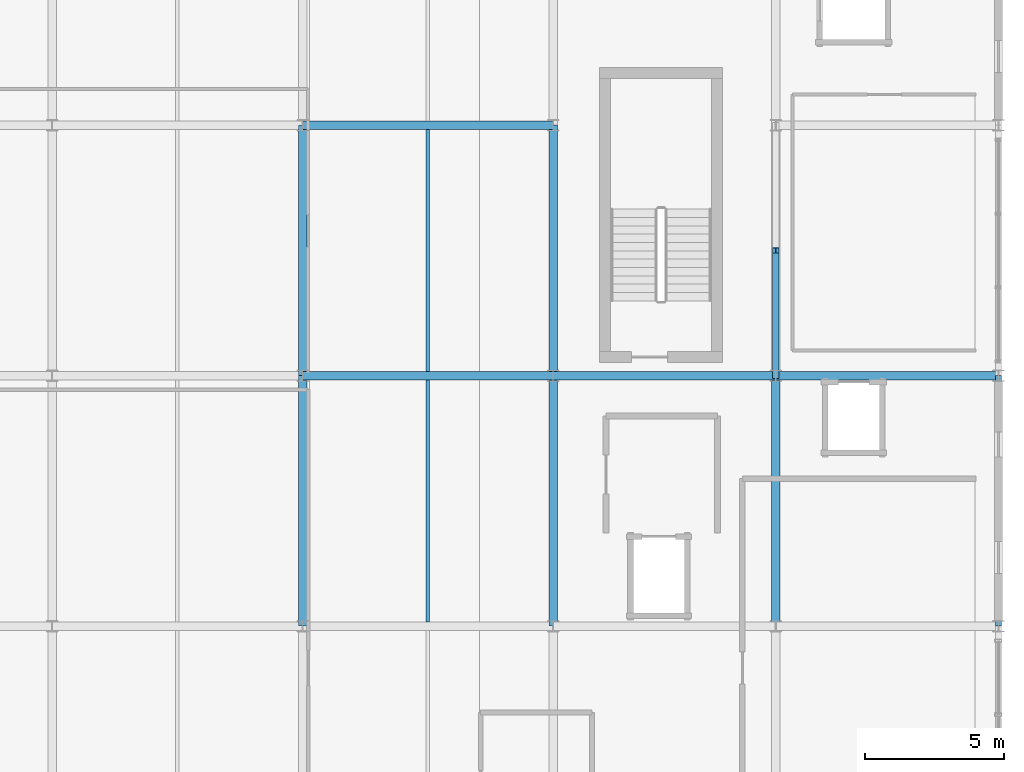
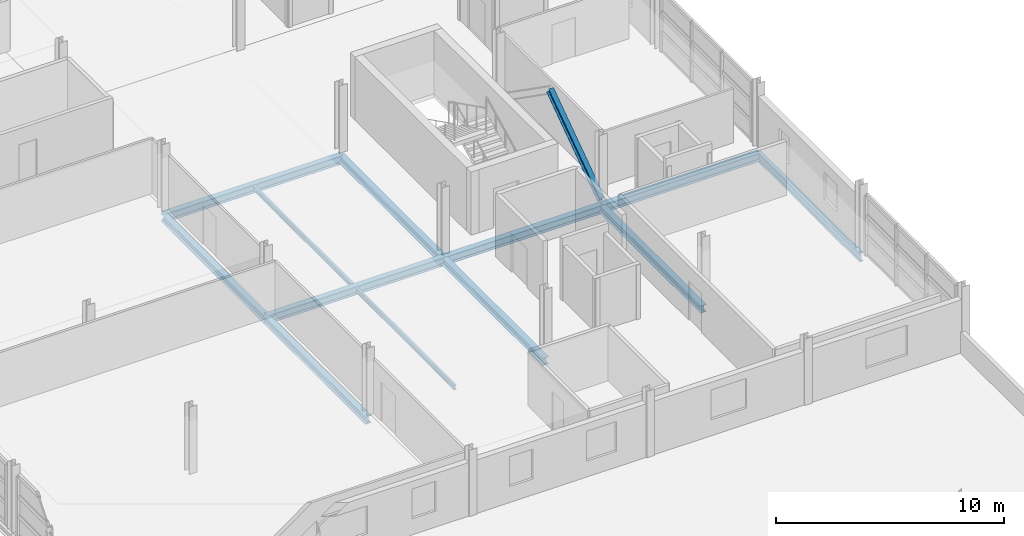
# One storey, part 72 of 116: 12 beams, 1 member.
"""IFC4 building model written with IfcOpenShell, lengths in metres."""

from ifc_helpers import new_model, si_unit, direction, frame, origin, origin_2d, place, context, subcontext, project, spatial, i_section, extrude, material, material_profile, profile_set, type_object, element, save


model = new_model("IFC4")

# Units and contexts
model_context = context("Model", 3, precision=1e-05, world=origin(), true_north=direction((0.0, 1.0)))
body_context = subcontext(model_context, "Body", "Model", "MODEL_VIEW")
ifc_project = project(units=[si_unit("LENGTHUNIT", "METRE"), si_unit("AREAUNIT", "SQUARE_METRE"), si_unit("VOLUMEUNIT", "CUBIC_METRE"), si_unit("PLANEANGLEUNIT", "RADIAN"), si_unit("MASSUNIT", "GRAM", prefix="KILO")], contexts=[model_context])

# Site, building, storey
site_placement = place(None, origin())
site = spatial("IfcSite", under=ifc_project, at=site_placement, CompositionType="ELEMENT")
building_placement = place(site_placement, origin())
building = spatial("IfcBuilding", under=site, at=building_placement, Name="Chuanluo Vaults Station", CompositionType="ELEMENT")
storey_placement = place(building_placement, frame((0.0, 0.0, 10.800048828125)))
storey = spatial("IfcBuildingStorey", under=building, at=storey_placement, Name="L02", CompositionType="ELEMENT", Elevation=10.800048828125)

# Beams
ifc_material_1 = material(Name="Steel Q355C", Category="steel")
ifc_material_profile_1 = material_profile(ifc_material_1, i_section(OverallWidth=0.300048828125, OverallDepth=0.389892578125, WebThickness=0.010009765625, FlangeThickness=0.01611328125, FilletRadius=0.02001953125, at=origin_2d()))
ifc_profile_set_1 = profile_set([ifc_material_profile_1], Name="Steel Q355C")
beam_type_1 = type_object("IfcBeamType", Name="BM-GRD-400", PredefinedType="BEAM", material=ifc_profile_set_1)
for number, where, z_axis, x_axis, name in (
    (1, (163.0, 76.5, -0.4150390625), (0.0, 1.0, 0.0), (-1.0, 0.0, 0.0), "Floor girder BM:GY:L02:0670"),
    (2, (163.0, 85.5, -0.4150390625), (0.0, 1.0, 0.0), (-1.0, 0.0, 0.0), "Floor girder BM:GY:L02:0671"),
    (3, (172.0, 76.5, -0.4150390625), (0.0, 1.0, 0.0), (-1.0, 0.0, 0.0), "Floor girder BM:GY:L02:0682"),
    (4, (172.0, 85.5, -0.4150390625), (0.0, 1.0, 0.0), (-1.0, 0.0, 0.0), "Floor girder BM:GY:L02:0683"),
    (5, (180.0, 76.5, -0.4150390625), (0.0, 1.0, 0.0), (-1.0, 0.0, 0.0), "Floor girder BM:GY:L02:0694"),
):
    element("IfcBeam", number, at=place(storey_placement, frame(where, z_axis=z_axis, x_axis=x_axis)), inside=storey, type_object=beam_type_1, Name=name, PredefinedType="BEAM", context=body_context, shape_type="SweptSolid", body=[
        extrude(i_section(OverallWidth=0.300048828125, OverallDepth=0.389892578125, WebThickness=0.010009765625, FlangeThickness=0.01611328125, FilletRadius=0.02001953125, at=origin_2d()), origin(), (0.0, 0.0, 1.0), 9.0),
    ])
ifc_material_2 = material(Name="Steel Q355C", Category="steel")
ifc_material_profile_2 = material_profile(ifc_material_2, i_section(OverallWidth=0.300048828125, OverallDepth=0.43994140625, WebThickness=0.010986328125, FlangeThickness=0.01806640625, FilletRadius=0.02001953125, at=origin_2d()))
ifc_profile_set_2 = profile_set([ifc_material_profile_2], Name="Steel Q355C")
beam_type_2 = type_object("IfcBeamType", Name="BM-GRD-450", PredefinedType="USERDEFINED", material=ifc_profile_set_2)
beam_1_placement = place(storey_placement, frame((163.0, 85.5, -0.43994140625), z_axis=(1.0, 0.0, 0.0), x_axis=(0.0, 1.0, 0.0)))
element("IfcBeam", 6, at=beam_1_placement, inside=storey, type_object=beam_type_2, Name="Floor girder BM:GX:L02:0590", ObjectType="GIRDER", PredefinedType="USERDEFINED", context=body_context, shape_type="SweptSolid", body=[
    extrude(i_section(OverallWidth=0.300048828125, OverallDepth=0.43994140625, WebThickness=0.010986328125, FlangeThickness=0.01806640625, FilletRadius=0.02001953125, at=origin_2d()), origin(), (0.0, 0.0, 1.0), 9.0),
])
for number, where, z_axis, x_axis, name in (
    (7, (172.0, 85.5, -0.43994140625), (1.0, 0.0, 0.0), (0.0, 1.0, 0.0), "Floor girder BM:GX:L02:0591"),
    (8, (180.0, 85.5, -0.43994140625), (1.0, 0.0, 0.0), (0.0, 1.0, 0.0), "Floor girder BM:GX:L02:0592"),
):
    element("IfcBeam", number, at=place(storey_placement, frame(where, z_axis=z_axis, x_axis=x_axis)), inside=storey, type_object=beam_type_2, Name=name, ObjectType="GIRDER", PredefinedType="USERDEFINED", context=body_context, shape_type="SweptSolid", body=[
        extrude(i_section(OverallWidth=0.300048828125, OverallDepth=0.43994140625, WebThickness=0.010986328125, FlangeThickness=0.01806640625, FilletRadius=0.02001953125, at=origin_2d()), origin(), (0.0, 0.0, 1.0), 8.0),
    ])
beam_2_placement = place(storey_placement, frame((163.0, 94.5, -0.43994140625), z_axis=(1.0, 0.0, 0.0), x_axis=(0.0, 1.0, 0.0)))
element("IfcBeam", 9, at=beam_2_placement, inside=storey, type_object=beam_type_2, Name="Floor girder BM:GX:L02:0595", ObjectType="GIRDER", PredefinedType="USERDEFINED", context=body_context, shape_type="SweptSolid", body=[
    extrude(i_section(OverallWidth=0.300048828125, OverallDepth=0.43994140625, WebThickness=0.010986328125, FlangeThickness=0.01806640625, FilletRadius=0.02001953125, at=origin_2d()), origin(), (0.0, 0.0, 1.0), 9.0),
])
ifc_material_3 = material(Name="Steel Q355C", Category="steel")
ifc_material_profile_3 = material_profile(ifc_material_3, i_section(OverallWidth=0.125, OverallDepth=0.25, WebThickness=0.006103515625, FlangeThickness=0.009033203125, FilletRadius=0.011962890625, at=origin_2d()))
ifc_profile_set_3 = profile_set([ifc_material_profile_3], Name="Steel Q355C")
beam_type_3 = type_object("IfcBeamType", Name="BM-SEC-250", PredefinedType="JOIST", material=ifc_profile_set_3)
for number, where, z_axis, x_axis, name in (
    (10, (167.5, 76.655029296875, -0.344970703125), (0.0, 1.0, 0.0), (-1.0, 0.0, 0.0), "Composite secondary joist 0223"),
    (11, (167.5, 85.655029296875, -0.344970703125), (0.0, 1.0, 0.0), (-1.0, 0.0, 0.0), "Composite secondary joist 0224"),
):
    element("IfcBeam", number, at=place(storey_placement, frame(where, z_axis=z_axis, x_axis=x_axis)), inside=storey, type_object=beam_type_3, Name=name, PredefinedType="JOIST", context=body_context, shape_type="SweptSolid", body=[
        extrude(i_section(OverallWidth=0.125, OverallDepth=0.25, WebThickness=0.006103515625, FlangeThickness=0.009033203125, FilletRadius=0.011962890625, at=origin_2d()), origin(), (0.0, 0.0, 1.0), 8.68994140625),
    ])
ifc_material_4 = material(Name="Steel Q355C", Category="steel")
ifc_material_profile_4 = material_profile(ifc_material_4, i_section(OverallWidth=0.205078125, OverallDepth=0.4599609375, WebThickness=0.009033203125, FlangeThickness=0.013916015625, FilletRadius=0.01611328125, at=origin_2d()))
ifc_profile_set_4 = profile_set([ifc_material_profile_4], Name="Steel Q355C")
beam_type_4 = type_object("IfcBeamType", Name="BM-SPN-450", PredefinedType="SPANDREL", material=ifc_profile_set_4)
beam_3_placement = place(storey_placement, frame((188.0, 76.5, -0.449951171875), z_axis=(0.0, 1.0, 0.0), x_axis=(-1.0, 0.0, 0.0)))
element("IfcBeam", 12, at=beam_3_placement, inside=storey, type_object=beam_type_4, Name="Floor girder BM:GY:L02:0706", PredefinedType="SPANDREL", context=body_context, shape_type="SweptSolid", body=[
    extrude(i_section(OverallWidth=0.205078125, OverallDepth=0.4599609375, WebThickness=0.009033203125, FlangeThickness=0.013916015625, FilletRadius=0.01611328125, at=origin_2d()), origin(), (0.0, 0.0, 1.0), 9.0),
])

# Member
ifc_material_5 = material(Name="Steel Q355C", Category="steel")
ifc_material_profile_5 = material_profile(ifc_material_5, i_section(OverallWidth=0.25, OverallDepth=0.340087890625, WebThickness=0.009033203125, FlangeThickness=0.013916015625, FilletRadius=0.01611328125, at=origin_2d()))
ifc_profile_set_5 = profile_set([ifc_material_profile_5], Name="Steel Q355C")
member_type = type_object("IfcMemberType", Name="MEM-CBR-340", PredefinedType="BRACE", material=ifc_profile_set_5)
member_placement = place(storey_placement, frame((180.0, 85.5, 0.0), z_axis=(0.0, 0.819240272819, 0.573450412321), x_axis=(-1.0, 0.0, 0.0)))
element("IfcMember", 13, at=member_placement, inside=storey, type_object=member_type, Name="Lateral chevron brace 05", PredefinedType="BRACE", context=body_context, shape_type="SweptSolid", body=[
    extrude(i_section(OverallWidth=0.25, OverallDepth=0.340087890625, WebThickness=0.009033203125, FlangeThickness=0.013916015625, FilletRadius=0.01611328125, at=origin_2d()), origin(), (0.0, 0.0, 1.0), 5.492919921875),
])

save(model, "model.ifc")
